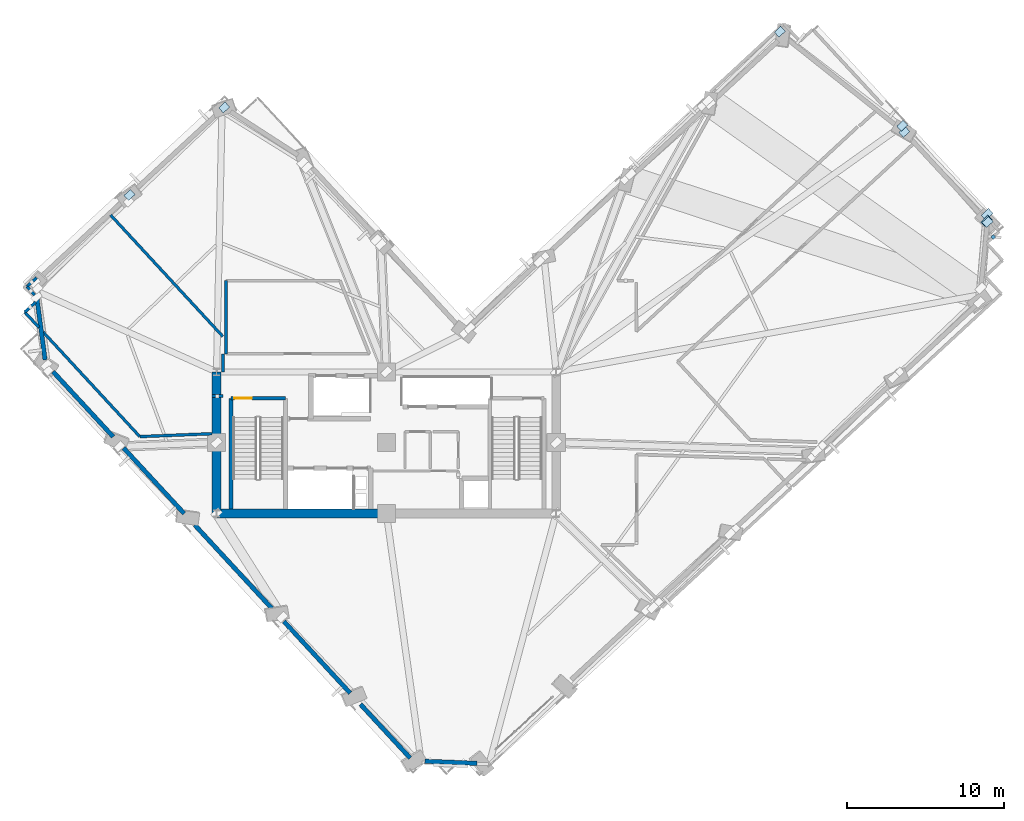
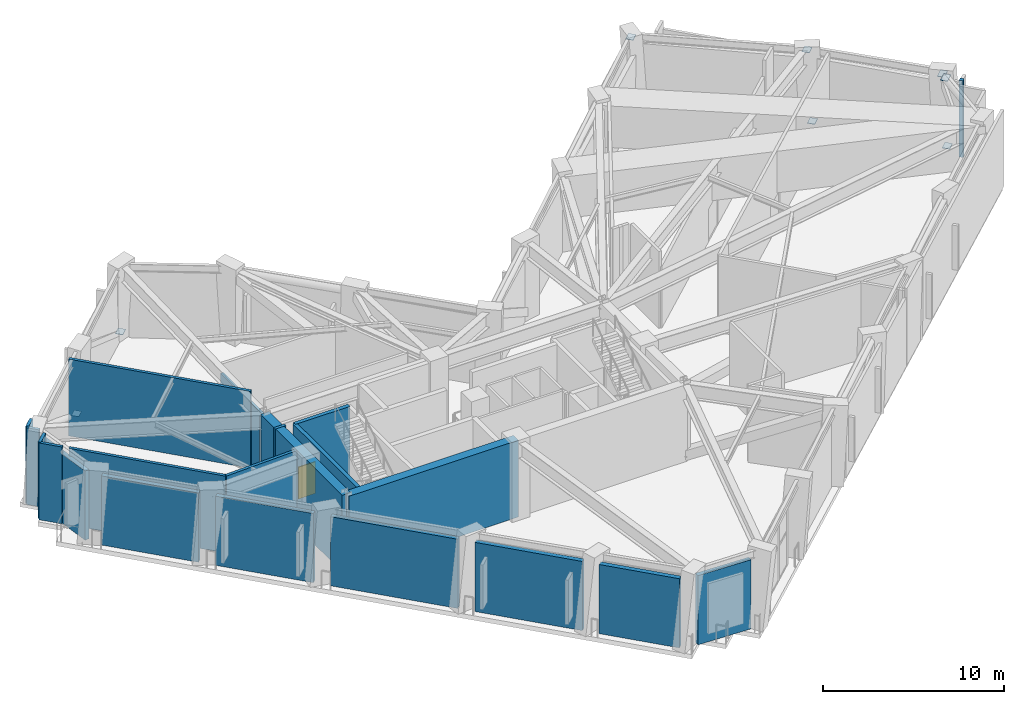
# One storey, part 8 of 15: 21 walls, 9 plates, 1 door, 1 opening.
"""IFC4 building model written with IfcOpenShell, lengths in metres."""

from ifc_helpers import new_model, si_unit, direction, frame, frame_2d, origin, origin_2d, place, context, subcontext, project, spatial, rectangle, extrude, material, layer, layer_set, type_object, element, fill, save


model = new_model("IFC4")

# Units and contexts
model_context = context("Model", 3, precision=1e-05, world=origin(), true_north=direction((0.0, 1.0)))
body_context = subcontext(model_context, "Body", "Model", "MODEL_VIEW")
ifc_project = project(units=[si_unit("LENGTHUNIT", "METRE"), si_unit("AREAUNIT", "SQUARE_METRE"), si_unit("VOLUMEUNIT", "CUBIC_METRE"), si_unit("PLANEANGLEUNIT", "RADIAN"), si_unit("MASSUNIT", "GRAM", prefix="KILO")], contexts=[model_context])

# Site, building, storey
site_placement = place(None, origin())
site = spatial("IfcSite", under=ifc_project, at=site_placement, CompositionType="ELEMENT")
building_placement = place(site_placement, origin())
building = spatial("IfcBuilding", under=site, at=building_placement, Name="Gaonmaruhae Medical Tower", CompositionType="ELEMENT")
storey_placement = place(building_placement, frame((0.0, 0.0, 205.800048828125)))
storey = spatial("IfcBuildingStorey", under=building, at=storey_placement, Name="L49", CompositionType="ELEMENT", Elevation=205.800048828125)

# Plates
ifc_material_1 = material(Name="Steel HSA650 (650 MPa)", Category="steel")
ifc_layer_1 = layer(ifc_material_1, 0.035888671875)
ifc_layer_set_1 = layer_set([ifc_layer_1], Name="Steel HSA650 (650 MPa)")
plate_type_1 = type_object("IfcPlateType", Name="GP-01 Outrigger Gusset & End Cap Plate", PredefinedType="USERDEFINED", material=ifc_layer_set_1)
for number, where, z_axis, x_axis, name in (
    (1, (62.998291015625, 26.820556640625, 4.81201171875), (0.0, 0.0, 1.0), (0.72296714591, 0.690882411077, 0.0), "L49 Gusset Cap Plate PLT-L49-BTD03B"),
    (2, (62.962890625, 26.402099609375, 4.81201171875), (0.0, 0.0, 1.0), (0.72296714591, 0.690882411077, 0.0), "L49 Gusset Cap Plate PLT-L49-BTC03B"),
):
    element("IfcPlate", number, at=place(storey_placement, frame(where, z_axis=z_axis, x_axis=x_axis)), inside=storey, type_object=plate_type_1, Name=name, ObjectType="GUSSET_PLATE", PredefinedType="USERDEFINED", context=body_context, shape_type="SweptSolid", body=[
        extrude(rectangle(XDim=0.64990234375, YDim=0.419921875, at=origin_2d()), origin(), (0.0, 0.0, 1.0), 0.035888671875),
    ])
ifc_layer_2 = layer(ifc_material_1, 0.028076171875)
ifc_layer_set_2 = layer_set([ifc_layer_2], Name="Steel HSA650 (650 MPa)")
plate_type_2 = type_object("IfcPlateType", Name="GP-02 Tube Brace End Cap Gusset Plate", PredefinedType="USERDEFINED", material=ifc_layer_set_2)
for number, where, z_axis, x_axis, name in (
    (3, (63.02783203125, 26.332763671875, 0.23583984375), (0.0, 0.0, 1.0), (0.734322509436, 0.678800745533, 0.0), "L49 Gusset Cap Plate PLT-L49-PBR-E01A"),
    (4, (57.609375, 32.459716796875, 4.916015625), (0.0, 0.0, 1.0), (0.72296714591, 0.690882411077, 0.0), "L49 Gusset Cap Plate PLT-L49-PBR-E01B"),
    (5, (8.464599609375, 28.052001953125, 0.23583984375), (0.0, 0.0, 1.0), (0.734322509436, 0.678800745533, 0.0), "L49 Gusset Cap Plate PLT-L49-PBR-N02A"),
    (6, (57.733154296875, 32.060546875, 0.2861328125), (0.0, 0.0, 1.0), (0.734322509436, 0.678800745533, 0.0), "L49 Gusset Cap Plate PLT-L49-CST1A"),
    (7, (49.823486328125, 38.43603515625, 4.86572265625), (0.0, 0.0, 1.0), (0.72296714591, 0.690882411077, 0.0), "L49 Gusset Cap Plate PLT-L49-CST1B"),
    (8, (14.486083984375, 33.6181640625, 0.2861328125), (0.0, 0.0, 1.0), (0.734322509436, 0.678800745533, 0.0), "L49 Gusset Cap Plate PLT-L49-CST2A"),
):
    element("IfcPlate", number, at=place(storey_placement, frame(where, z_axis=z_axis, x_axis=x_axis)), inside=storey, type_object=plate_type_2, Name=name, ObjectType="GUSSET_PLATE", PredefinedType="USERDEFINED", context=body_context, shape_type="SweptSolid", body=[
        extrude(rectangle(XDim=0.56005859375, YDim=0.43994140625, at=origin_2d()), origin(), (0.0, 0.0, 1.0), 0.028076171875),
    ])
ifc_material_2 = material(Name="Anodised aluminium 6063-T6", Category="aluminium")
ifc_layer_3 = layer(ifc_material_2, 0.011962890625)
ifc_layer_set_3 = layer_set([ifc_layer_3], Name="Anodised aluminium 6063-T6")
plate_type_3 = type_object("IfcPlateType", Name="PP-01 Interior Partition Corner Stiffener Plate", PredefinedType="SHEET", material=ifc_layer_set_3)
plate_placement = place(storey_placement, frame((63.396484375, 25.3798828125, 0.0), z_axis=(0.0, 0.0, 1.0), x_axis=(-0.734583096072, -0.678518735898, 0.0)))
element("IfcPlate", 9, at=plate_placement, inside=storey, type_object=plate_type_3, Name="L49 Partition Corner Stiffener Plate PLT-L49-JGP-PW032", PredefinedType="SHEET", context=body_context, shape_type="SweptSolid", body=[
    extrude(rectangle(XDim=0.219970703125, YDim=0.219970703125, at=origin_2d()), origin(), (0.0, 0.0, 1.0), 5.179931640625),
])

# Walls
ifc_material_3 = material(Name="Concrete C50/60", Category="concrete")
ifc_layer_4 = layer(ifc_material_3, 0.550048828125)
ifc_layer_set_4 = layer_set([ifc_layer_4], Name="Concrete C50/60")
wall_type_1 = type_object("IfcWallType", Name="CW-550 Mid-High Core Shear Wall", PredefinedType="SHEAR", material=ifc_layer_set_4)
wall_1_placement = place(storey_placement, frame((14.0, 7.800048828125, 0.0), z_axis=(0.0, 0.0, 1.0), x_axis=(1.0, 0.0, 0.0)))
element("IfcWall", 10, at=wall_1_placement, inside=storey, type_object=wall_type_1, Name="L49 Core Shear Wall CSW-S1", PredefinedType="SHEAR", context=body_context, shape_type="SweptSolid", body=[
    extrude(rectangle(XDim=10.800048828125, YDim=0.550048828125, at=frame_2d((5.39990234375, 0.0))), origin(), (0.0, 0.0, 1.0), 5.179931640625),
])
wall_2_placement = place(storey_placement, frame((14.0, 16.800048828125, 0.0), z_axis=(0.0, 0.0, 1.0), x_axis=(0.0, -1.0, 0.0)))
element("IfcWall", 11, at=wall_2_placement, inside=storey, type_object=wall_type_1, Name="L49 Core Shear Wall CSW-W1", PredefinedType="SHEAR", context=body_context, shape_type="SweptSolid", body=[
    extrude(rectangle(XDim=9.0, YDim=0.550048828125, at=frame_2d((4.5, 0.0))), origin(), (0.0, 0.0, 1.0), 5.179931640625),
])
ifc_material_4 = material(Name="Precast concrete C45/55", Category="concrete")
ifc_layer_5 = layer(ifc_material_4, 0.280029296875)
ifc_layer_set_5 = layer_set([ifc_layer_5], Name="Precast concrete C45/55")
wall_type_2 = type_object("IfcWallType", Name="EW-280 Upper Precast Masonry-Frame Facade Wall", PredefinedType="SOLIDWALL", material=ifc_layer_set_5)
wall_3_placement = place(storey_placement, frame((3.093994140625, 17.5634765625, 0.0), z_axis=(0.0, 0.0, 1.0), x_axis=(-0.131103963345, 0.991368625081, 0.0)))
element("IfcWall", 12, at=wall_3_placement, inside=storey, type_object=wall_type_2, Name="L49 Precast Masonry-Frame Wall N03-W01", PredefinedType="SOLIDWALL", context=body_context, shape_type="SweptSolid", body=[
    extrude(rectangle(XDim=4.21044921875, YDim=0.280029296875, at=frame_2d((2.105224609375, 0.0))), origin(), (0.0, 0.0, 1.0), 4.6650390625),
])
wall_4_placement = place(storey_placement, frame((7.426513671875, 12.67529296875, 0.0), z_axis=(0.0, 0.0, 1.0), x_axis=(-0.678797052914, 0.73432592284, 0.0)))
element("IfcWall", 13, at=wall_4_placement, inside=storey, type_object=wall_type_2, Name="L49 Precast Masonry-Frame Wall W01-W02", PredefinedType="SOLIDWALL", context=body_context, shape_type="SweptSolid", body=[
    extrude(rectangle(XDim=5.627685546875, YDim=0.280029296875, at=frame_2d((2.81396484375, 0.0))), origin(), (0.0, 0.0, 1.0), 4.6650390625),
])
wall_5_placement = place(storey_placement, frame((11.93701171875, 7.7958984375, 0.0), z_axis=(0.0, 0.0, 1.0), x_axis=(-0.678815391705, 0.734308970383, 0.0)))
element("IfcWall", 14, at=wall_5_placement, inside=storey, type_object=wall_type_2, Name="L49 Precast Masonry-Frame Wall W02-W03", PredefinedType="SOLIDWALL", context=body_context, shape_type="SweptSolid", body=[
    extrude(rectangle(XDim=5.662109375, YDim=0.280029296875, at=frame_2d((2.8310546875, 0.0))), origin(), (0.0, 0.0, 1.0), 4.6650390625),
])
wall_6_placement = place(storey_placement, frame((17.606689453125, 1.66259765625, 0.0), z_axis=(0.0, 0.0, 1.0), x_axis=(-0.678815828599, 0.734308566505, 0.0)))
element("IfcWall", 15, at=wall_6_placement, inside=storey, type_object=wall_type_2, Name="L49 Precast Masonry-Frame Wall W03-W04", PredefinedType="SOLIDWALL", context=body_context, shape_type="SweptSolid", body=[
    extrude(rectangle(XDim=7.3603515625, YDim=0.280029296875, at=frame_2d((3.68017578125, 0.0))), origin(), (0.0, 0.0, 1.0), 4.6650390625),
])
wall_7_placement = place(storey_placement, frame((22.50048828125, -3.631591796875, 0.0), z_axis=(0.0, 0.0, 1.0), x_axis=(-0.678806219756, 0.734317449078, 0.0)))
element("IfcWall", 16, at=wall_7_placement, inside=storey, type_object=wall_type_2, Name="L49 Precast Masonry-Frame Wall W04-W05", PredefinedType="SOLIDWALL", context=body_context, shape_type="SweptSolid", body=[
    extrude(rectangle(XDim=6.22314453125, YDim=0.280029296875, at=frame_2d((3.111572265625, 0.0))), origin(), (0.0, 0.0, 1.0), 4.6650390625),
])
wall_8_placement = place(storey_placement, frame((26.310791015625, -7.75341796875, 0.0), z_axis=(0.0, 0.0, 1.0), x_axis=(-0.67882538144, 0.734299735471, 0.0)))
element("IfcWall", 17, at=wall_8_placement, inside=storey, type_object=wall_type_2, Name="L49 Precast Masonry-Frame Wall W05-W06", PredefinedType="SOLIDWALL", context=body_context, shape_type="SweptSolid", body=[
    extrude(rectangle(XDim=4.6474609375, YDim=0.280029296875, at=frame_2d((2.32373046875, 0.0))), origin(), (0.0, 0.0, 1.0), 4.6650390625),
])
wall_9_placement = place(storey_placement, frame((30.5634765625, -8.0927734375, 0.0), z_axis=(0.0, 0.0, 1.0), x_axis=(-0.999227148495, 0.03930783268, 0.0)))
element("IfcWall", 18, at=wall_9_placement, inside=storey, type_object=wall_type_2, Name="L49 Precast Masonry-Frame Wall W06-S01", PredefinedType="SOLIDWALL", context=body_context, shape_type="SweptSolid", body=[
    extrude(rectangle(XDim=3.322998046875, YDim=0.280029296875, at=frame_2d((1.66162109375, 0.0))), origin(), (0.0, 0.0, 1.0), 4.6650390625),
])
ifc_material_5 = material(Name="Gypsum board partition", Category="gypsum")
ifc_layer_6 = layer(ifc_material_5, 0.179931640625)
ifc_layer_set_6 = layer_set([ifc_layer_6], Name="Gypsum board partition")
wall_type_3 = type_object("IfcWallType", Name="PW-180 Refuge & Plant Acoustic Fire Partition", PredefinedType="PARTITIONING", material=ifc_layer_set_6)
wall_10_placement = place(storey_placement, frame((14.60009765625, 17.949951171875, 0.0), z_axis=(0.0, 0.0, 1.0), x_axis=(0.0, 1.0, 0.0)))
element("IfcWall", 19, at=wall_10_placement, inside=storey, type_object=wall_type_3, Name="L49 Interior Partition L49-REF1-8", PredefinedType="PARTITIONING", context=body_context, shape_type="SweptSolid", body=[
    extrude(rectangle(XDim=4.650146484375, YDim=0.179931640625, at=frame_2d((2.3251953125, 0.0))), origin(), (0.0, 0.0, 1.0), 4.1650390625),
])
wall_11_placement = place(storey_placement, frame((1.93701171875, 22.222900390625, 0.0), z_axis=(0.0, 0.0, 1.0), x_axis=(0.734370144552, 0.678749210527, 0.0)))
element("IfcWall", 20, at=wall_11_placement, inside=storey, type_object=wall_type_3, Name="L49 Interior Partition L49-ELEC-53", PredefinedType="PARTITIONING", context=body_context, shape_type="SweptSolid", body=[
    extrude(rectangle(XDim=0.8427734375, YDim=0.179931640625, at=frame_2d((0.42138671875, 0.0))), origin(), (0.0, 0.0, 1.0), 5.179931640625),
])
wall_12_placement = place(storey_placement, frame((7.258056640625, 26.780029296875, 0.0), z_axis=(0.0, 0.0, 1.0), x_axis=(0.678751209683, -0.734368296806, 0.0)))
element("IfcWall", 21, at=wall_12_placement, inside=storey, type_object=wall_type_3, Name="L49 Interior Partition L49-ELEC-54", PredefinedType="PARTITIONING", context=body_context, shape_type="SweptSolid", body=[
    extrude(rectangle(XDim=10.52197265625, YDim=0.179931640625, at=frame_2d((5.260986328125, 0.0))), origin(), (0.0, 0.0, 1.0), 5.179931640625),
])
wall_13_placement = place(storey_placement, frame((14.39990234375, 17.949951171875, 0.0), z_axis=(0.0, 0.0, 1.0), x_axis=(0.000849256594, -0.999999639382, 0.0)))
element("IfcWall", 22, at=wall_13_placement, inside=storey, type_object=wall_type_3, Name="L49 Interior Partition L49-ELEC-55", PredefinedType="PARTITIONING", context=body_context, shape_type="SweptSolid", body=[
    extrude(rectangle(XDim=1.14990234375, YDim=0.179931640625, at=frame_2d((0.574951171875, 0.0))), origin(), (0.0, 0.0, 1.0), 4.1650390625),
])
wall_14_placement = place(storey_placement, frame((14.40087890625, 15.260009765625, 0.0), z_axis=(0.0, 0.0, 1.0), x_axis=(-1.0, 0.0, 0.0)))
element("IfcWall", 23, at=wall_14_placement, inside=storey, type_object=wall_type_3, Name="L49 Interior Partition L49-ELEC-56", PredefinedType="PARTITIONING", context=body_context, shape_type="SweptSolid", body=[
    extrude(rectangle(XDim=0.700927734375, YDim=0.179931640625, at=frame_2d((0.3505859375, 0.0))), origin(), (0.0, 0.0, 1.0), 5.179931640625),
])
wall_15_placement = place(storey_placement, frame((13.699951171875, 12.867919921875, 0.0), z_axis=(0.0, 0.0, 1.0), x_axis=(-0.999204272842, -0.039885099145, 0.0)))
element("IfcWall", 24, at=wall_15_placement, inside=storey, type_object=wall_type_3, Name="L49 Interior Partition L49-ELEC-57", PredefinedType="PARTITIONING", context=body_context, shape_type="SweptSolid", body=[
    extrude(rectangle(XDim=4.584716796875, YDim=0.179931640625, at=frame_2d((2.29248046875, 0.0))), origin(), (0.0, 0.0, 1.0), 5.179931640625),
])
wall_16_placement = place(storey_placement, frame((9.118896484375, 12.68505859375, 0.0), z_axis=(0.0, 0.0, 1.0), x_axis=(-0.678760625436, 0.734359594039, 0.0)))
element("IfcWall", 25, at=wall_16_placement, inside=storey, type_object=wall_type_3, Name="L49 Interior Partition L49-ELEC-58", PredefinedType="PARTITIONING", context=body_context, shape_type="SweptSolid", body=[
    extrude(rectangle(XDim=9.050048828125, YDim=0.179931640625, at=frame_2d((4.52490234375, 0.0))), origin(), (0.0, 0.0, 1.0), 5.179931640625),
])
wall_17_placement = place(storey_placement, frame((2.7060546875, 19.623046875, 0.0), z_axis=(0.0, 0.0, 1.0), x_axis=(-0.678760101966, 0.734360077877, 0.0)))
element("IfcWall", 26, at=wall_17_placement, inside=storey, type_object=wall_type_3, Name="L49 Interior Partition L49-ELEC-59", PredefinedType="PARTITIONING", context=body_context, shape_type="SweptSolid", body=[
    extrude(rectangle(XDim=1.33056640625, YDim=0.179931640625, at=frame_2d((0.665283203125, 0.0))), origin(), (0.0, 0.0, 1.0), 5.179931640625),
])
wall_18_placement = place(storey_placement, frame((1.802978515625, 20.60009765625, 0.0), z_axis=(0.0, 0.0, 1.0), x_axis=(0.733755873174, 0.679413216373, 0.0)))
element("IfcWall", 27, at=wall_18_placement, inside=storey, type_object=wall_type_3, Name="L49 Interior Partition L49-ELEC-60", PredefinedType="PARTITIONING", context=body_context, shape_type="SweptSolid", body=[
    extrude(rectangle(XDim=0.93896484375, YDim=0.179931640625, at=frame_2d((0.469482421875, 0.0))), origin(), (0.0, 0.0, 1.0), 5.179931640625),
])
wall_19_placement = place(storey_placement, frame((2.43310546875, 21.68701171875, 0.0), z_axis=(0.0, 0.0, 1.0), x_axis=(-0.679334695371, 0.733828571033, 0.0)))
element("IfcWall", 28, at=wall_19_placement, inside=storey, type_object=wall_type_3, Name="L49 Interior Partition L49-ELEC-61", PredefinedType="PARTITIONING", context=body_context, shape_type="SweptSolid", body=[
    extrude(rectangle(XDim=0.730224609375, YDim=0.179931640625, at=frame_2d((0.365234375, 0.0))), origin(), (0.0, 0.0, 1.0), 5.179931640625),
])

# Wall, opening, door
ifc_layer_7 = layer(ifc_material_3, 0.239990234375)
ifc_layer_set_7 = layer_set([ifc_layer_7], Name="Concrete C50/60")
wall_type_4 = type_object("IfcWallType", Name="SW-240 Dogleg Stair Tight Shaft Wall", PredefinedType="SOLIDWALL", material=ifc_layer_set_7)
wall_20_placement = place(storey_placement, frame((14.919921875, 15.1201171875, 0.0), z_axis=(0.0, 0.0, 1.0), x_axis=(1.0, 0.0, 0.0)))
wall_20 = element("IfcWall", 29, at=wall_20_placement, inside=storey, type_object=wall_type_4, Name="L49 ST-01 Stair Shaft Wall SHW-ST-01-N", PredefinedType="SOLIDWALL", context=body_context, shape_type="SweptSolid", body=[
    extrude(rectangle(XDim=3.4599609375, YDim=0.239990234375, at=frame_2d((1.72998046875, 0.0))), origin(), (0.0, 0.0, 1.0), 5.179931640625),
])
opening_placement = place(wall_20_placement, frame((0.219970703125, 0.0, 0.0)))
opening = element("IfcOpeningElement", 30, at=opening_placement, cuts=wall_20, Name="Opening FD-01", PredefinedType="OPENING", context=body_context, shape_type="SweptSolid", body=[
    extrude(rectangle(XDim=1.10009765625, YDim=2.14990234375, at=frame_2d((0.550048828125, 1.074951171875))), frame((0.0, 0.1298828125, 0.0), z_axis=(0.0, -1.0, 0.0), x_axis=(1.0, 0.0, 0.0)), (0.0, 0.0, 1.0), 0.260009765625),
])
ifc_material_6 = material(Name="Powder-coated steel fire door", Category="steel")
door_type = type_object("IfcDoorType", Name="FD-01 Escape Stair Protected Fire Door 1100x2150", OperationType="NOTDEFINED", PredefinedType="DOOR", material=ifc_material_6)
door_placement = place(opening_placement, origin())
door = element("IfcDoor", 31, at=door_placement, inside=storey, type_object=door_type, Name="L49 ST-01 Protected Escape Stair Door", OperationType="SINGLE_SWING_RIGHT", OverallHeight=2.14990234375, OverallWidth=1.10009765625, PredefinedType="DOOR", context=body_context, shape_type="SweptSolid", body=[
    extrude(rectangle(XDim=1.10009765625, YDim=2.14990234375, at=frame_2d((0.550048828125, 1.074951171875))), frame((0.0, 0.02490234375, 0.0), z_axis=(0.0, -1.0, 0.0), x_axis=(1.0, 0.0, 0.0)), (0.0, 0.0, 1.0), 0.050048828125),
])
fill(opening, door)

# Wall
wall_21_placement = place(storey_placement, frame((14.919921875, 8.074951171875, 0.0), z_axis=(0.0, 0.0, 1.0), x_axis=(0.0, 1.0, 0.0)))
element("IfcWall", 32, at=wall_21_placement, inside=storey, type_object=wall_type_4, Name="L49 ST-01 Stair Shaft Wall SHW-ST-01-W", PredefinedType="SOLIDWALL", context=body_context, shape_type="SweptSolid", body=[
    extrude(rectangle(XDim=7.045166015625, YDim=0.239990234375, at=frame_2d((3.5224609375, 0.0))), origin(), (0.0, 0.0, 1.0), 5.179931640625),
])

save(model, "model.ifc")
